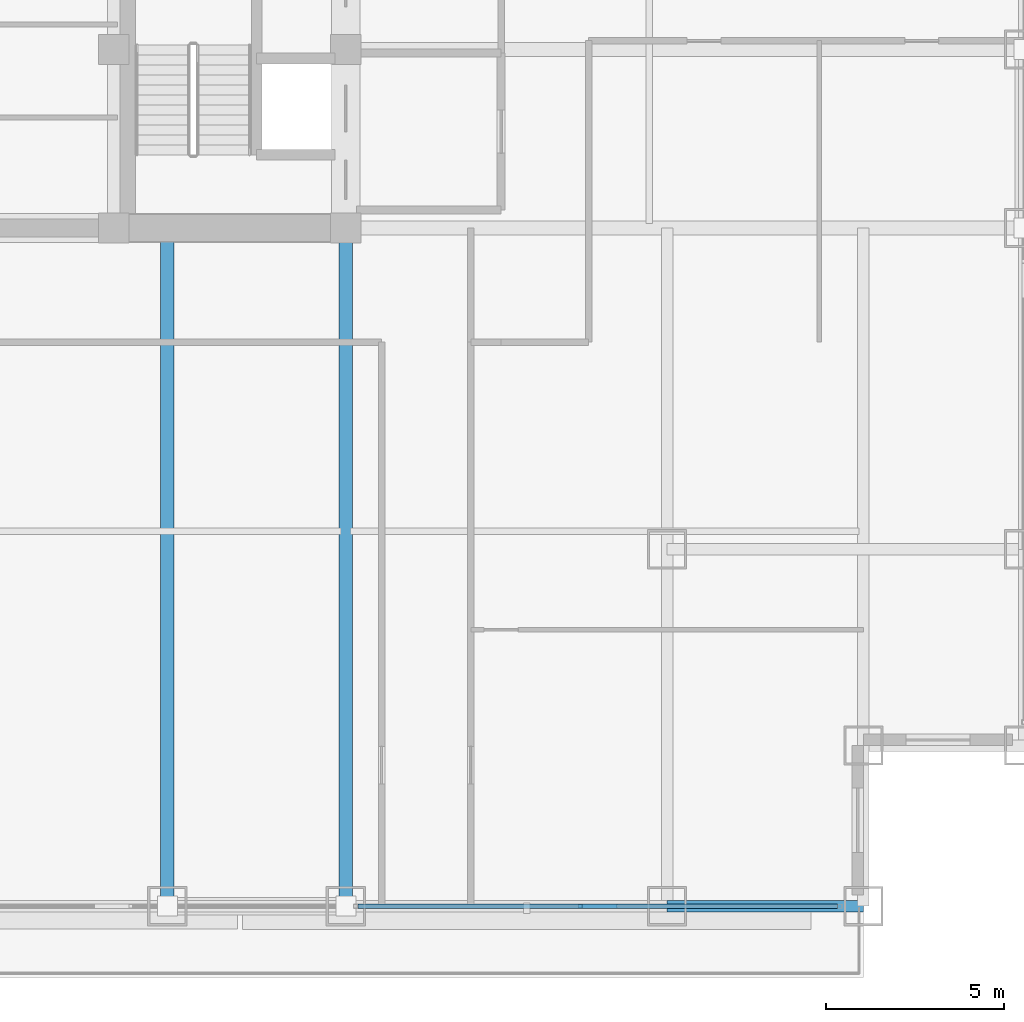
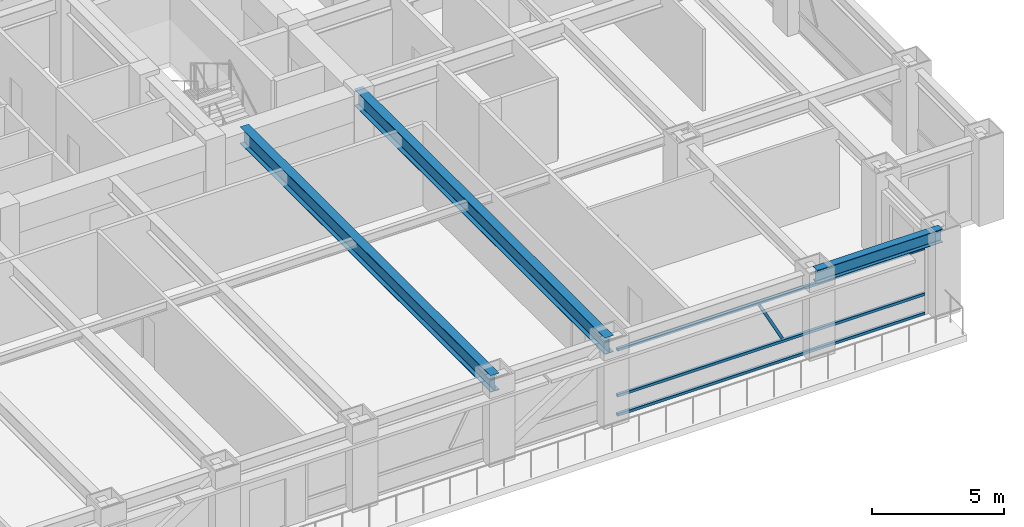
# One storey, part 10 of 35: 4 members, 3 beams, 1 element without a shape of its own.
"""IFC4 building model written with IfcOpenShell, lengths in metres."""

from ifc_helpers import new_model, si_unit, direction, frame, origin, origin_2d, place, context, subcontext, project, spatial, hollow_rectangle, i_section, extrude, source, transform, mapped, material, material_profile, profile_set, type_object, element, aggregate, save


model = new_model("IFC4")

# Units and contexts
model_context = context("Model", 3, precision=1e-05, world=origin(), true_north=direction((0.0, 1.0)))
body_context = subcontext(model_context, "Body", "Model", "MODEL_VIEW")
ifc_project = project(units=[si_unit("LENGTHUNIT", "METRE"), si_unit("AREAUNIT", "SQUARE_METRE"), si_unit("VOLUMEUNIT", "CUBIC_METRE"), si_unit("PLANEANGLEUNIT", "RADIAN"), si_unit("MASSUNIT", "GRAM", prefix="KILO")], contexts=[model_context])

# Site, building, storey
site_placement = place(None, origin())
site = spatial("IfcSite", under=ifc_project, at=site_placement, CompositionType="ELEMENT")
building_placement = place(site_placement, origin())
building = spatial("IfcBuilding", under=site, at=building_placement, Name="Khorayat Bourse Tower", CompositionType="ELEMENT")
storey_placement = place(building_placement, frame((0.0, 0.0, 155.10009765625)))
storey = spatial("IfcBuildingStorey", under=building, at=storey_placement, Name="L35", CompositionType="ELEMENT", Elevation=155.10009765625)

# Beams
ifc_material_1 = material(Name="Steel ASTM A992 Grade 50", Category="steel")
ifc_material_profile_1 = material_profile(ifc_material_1, i_section(OverallWidth=0.381103515625, OverallDepth=0.77294921875, WebThickness=0.0166015625, FlangeThickness=0.027587890625, FilletRadius=0.01806640625, at=origin_2d()), Name="W760X257")
ifc_profile_set_1 = profile_set([ifc_material_profile_1], Name="Steel ASTM A992 Grade 50")
beam_type_1 = type_object("IfcBeamType", Name="BM-GIRD-760", PredefinedType="BEAM", material=ifc_profile_set_1)
shared_shape_1 = source(origin(), body_context, "Body", "SweptSolid", [
    extrude(i_section(OverallWidth=0.381103515625, OverallDepth=0.77294921875, WebThickness=0.0166015625, FlangeThickness=0.027587890625, FilletRadius=0.01806640625, at=origin_2d()), origin(), (0.0, 0.0, 1.0), 19.0),
])
for number, where, z_axis, x_axis, name in (
    (1, (6.0, -30.0, 3.393310546875), (0.0, 1.0, 0.0), (-1.0, 0.0, 0.0), "L35 BM-GIRD-760 BM-L35-RADY-071"),
    (2, (11.0, -30.0, 3.393310546875), (0.0, 1.0, 0.0), (-1.0, 0.0, 0.0), "L35 BM-GIRD-760 BM-L35-RADY-073"),
):
    element("IfcBeam", number, at=place(storey_placement, frame(where, z_axis=z_axis, x_axis=x_axis)), inside=storey, type_object=beam_type_1, Name=name, PredefinedType="BEAM", context=body_context, shape_type="MappedRepresentation", body=[
        mapped(shared_shape_1, transform((0.0, 0.0, 0.0), scale=1.0)),
    ])
ifc_material_profile_2 = material_profile(ifc_material_1, i_section(OverallWidth=0.324951171875, OverallDepth=0.615966796875, WebThickness=0.013916015625, FlangeThickness=0.021484375, FilletRadius=0.01611328125, at=origin_2d()), Name="W610X174")
ifc_profile_set_2 = profile_set([ifc_material_profile_2], Name="Steel ASTM A992 Grade 50")
beam_type_2 = type_object("IfcBeamType", Name="BM-SPAN-610", PredefinedType="SPANDREL", material=ifc_profile_set_2)
shared_shape_2 = source(origin(), body_context, "Body", "SweptSolid", [
    extrude(i_section(OverallWidth=0.324951171875, OverallDepth=0.615966796875, WebThickness=0.013916015625, FlangeThickness=0.021484375, FilletRadius=0.01611328125, at=origin_2d()), origin(), (0.0, 0.0, 1.0), 5.5),
])
beam_placement = place(storey_placement, frame((20.0, -30.0, 3.471923828125), z_axis=(1.0, 0.0, 0.0), x_axis=(0.0, 1.0, 0.0)))
element("IfcBeam", 3, at=beam_placement, inside=storey, type_object=beam_type_2, Name="L35 BM-SPAN-610 BM-L35-SPN-031", PredefinedType="SPANDREL", context=body_context, shape_type="MappedRepresentation", body=[
    mapped(shared_shape_2, transform((0.0, 0.0, 0.0), scale=1.0)),
])

# Curtain wall, members
ifc_material_2 = material(Name="Aluminium EN AW-6063 T6", Category="aluminium")
curtain_wall_type = type_object("IfcCurtainWallType", Name="CW-SYS-03", PredefinedType="NOTDEFINED", material=ifc_material_2)
curtain_wall_placement = place(storey_placement, origin())
curtain_wall = element("IfcCurtainWall", 4, at=curtain_wall_placement, inside=storey, type_object=curtain_wall_type, Name="L35 Curtain Wall CW-L35-S2", PredefinedType="NOTDEFINED")
ifc_material_profile_3 = material_profile(ifc_material_2, hollow_rectangle(XDim=0.1201171875, YDim=0.1201171875, WallThickness=0.0048828125, at=origin_2d()), Name="ALU 120x120x5")
ifc_profile_set_3 = profile_set([ifc_material_profile_3], Name="Aluminium EN AW-6063 T6")
member_type_1 = type_object("IfcMemberType", Name="CWM-DIAG-120", PredefinedType="MULLION", material=ifc_profile_set_3)
shared_shape_3 = source(origin(), body_context, "Body", "SweptSolid", [
    extrude(hollow_rectangle(XDim=0.1201171875, YDim=0.1201171875, WallThickness=0.0048828125, at=origin_2d()), origin(), (0.0, 0.0, 1.0), 2.079345703125),
])
member_1_placement = place(storey_placement, frame((18.541748046875, -30.0, 1.08984375), z_axis=(-0.465760949701, 0.0, 0.884910581773), x_axis=(0.0, -1.0, 0.0)))
member_1 = element("IfcMember", 5, at=member_1_placement, type_object=member_type_1, Name="CW-L35-S2 Faceted Diagonal Mullion 2", PredefinedType="MULLION", context=body_context, shape_type="MappedRepresentation", body=[
    mapped(shared_shape_3, transform((0.0, 0.0, 0.0), scale=1.0)),
])
ifc_material_profile_4 = material_profile(ifc_material_2, hollow_rectangle(XDim=0.1201171875, YDim=0.1201171875, WallThickness=0.0048828125, at=origin_2d()), Name="ALU 120x120x5")
ifc_profile_set_4 = profile_set([ifc_material_profile_4], Name="Aluminium EN AW-6063 T6")
member_type_2 = type_object("IfcMemberType", Name="CWT-HORZ-120", PredefinedType="USERDEFINED", material=ifc_profile_set_4)
shared_shape_4 = source(origin(), body_context, "Body", "SweptSolid", [
    extrude(hollow_rectangle(XDim=0.1201171875, YDim=0.1201171875, WallThickness=0.0048828125, at=origin_2d()), origin(), (0.0, 0.0, 1.0), 13.445068359375),
])
member_2_placement = place(storey_placement, frame((11.3349609375, -30.0, 0.059814453125), z_axis=(1.0, 0.0, 0.0), x_axis=(0.0, 1.0, 0.0)))
member_2 = element("IfcMember", 6, at=member_2_placement, type_object=member_type_2, Name="CW-L35-S2 Horizontal Transom 2-1", ObjectType="TRANSOM", PredefinedType="USERDEFINED", context=body_context, shape_type="MappedRepresentation", body=[
    mapped(shared_shape_4, transform((0.0, 0.0, 0.0), scale=1.0)),
])
member_3_placement = place(storey_placement, frame((11.3349609375, -30.0, 0.949951171875), z_axis=(1.0, 0.0, 0.0), x_axis=(0.0, 1.0, 0.0)))
member_3 = element("IfcMember", 7, at=member_3_placement, type_object=member_type_2, Name="CW-L35-S2 Horizontal Transom 2-2", ObjectType="TRANSOM", PredefinedType="USERDEFINED", context=body_context, shape_type="MappedRepresentation", body=[
    mapped(shared_shape_4, transform((0.0, 0.0, 0.0), scale=1.0)),
])
member_4_placement = place(storey_placement, frame((11.3349609375, -30.0, 3.06982421875), z_axis=(1.0, 0.0, 0.0), x_axis=(0.0, 1.0, 0.0)))
member_4 = element("IfcMember", 8, at=member_4_placement, type_object=member_type_2, Name="CW-L35-S2 Horizontal Transom 2-3", ObjectType="TRANSOM", PredefinedType="USERDEFINED", context=body_context, shape_type="MappedRepresentation", body=[
    mapped(shared_shape_4, transform((0.0, 0.0, 0.0), scale=1.0)),
])
aggregate(curtain_wall, [member_2, member_3, member_4, member_1])

save(model, "model.ifc")
